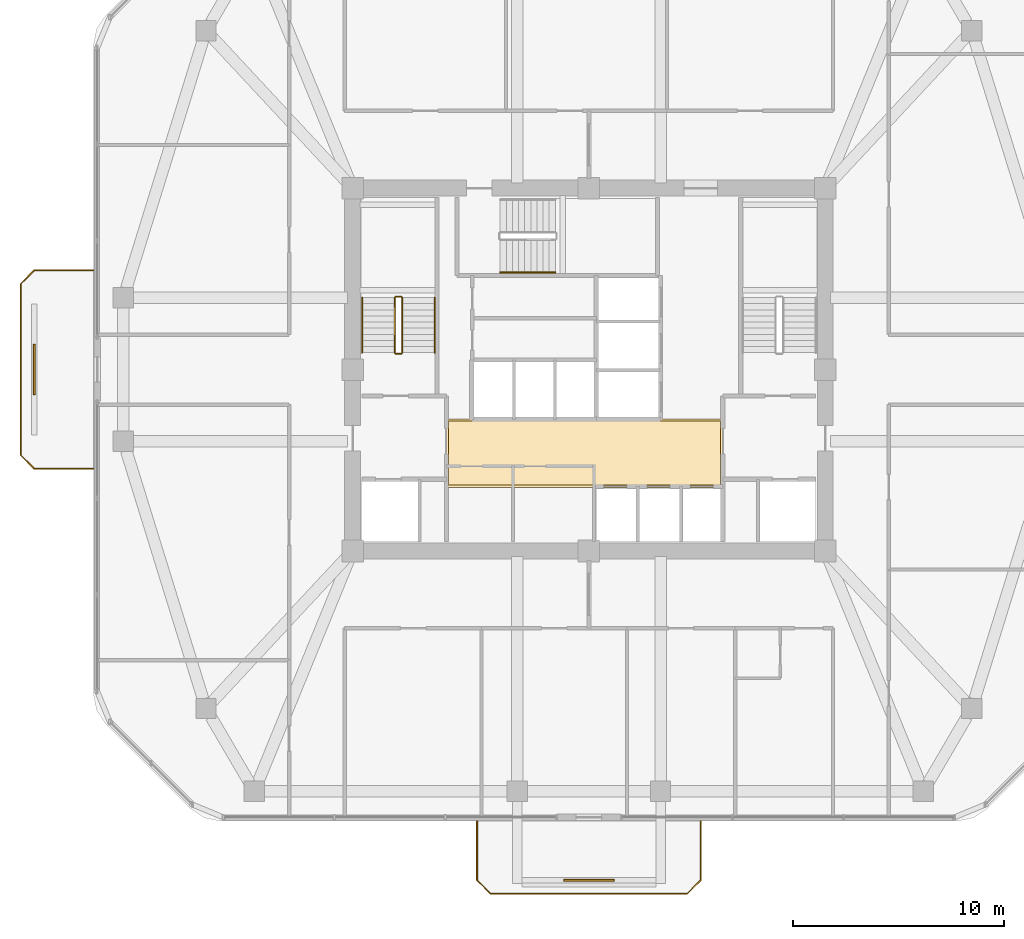
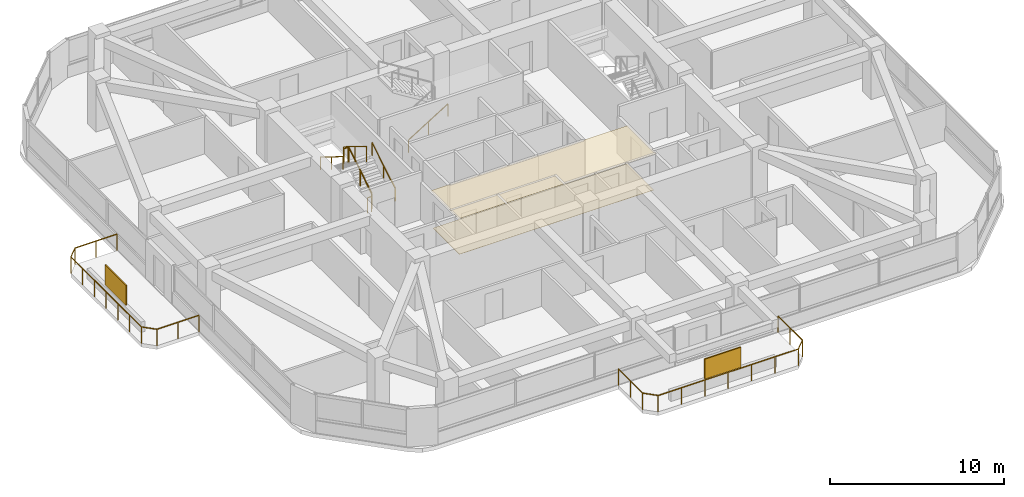
# One storey, part 11 of 12: 9 railings, 2 coverings, 2 shading devices.
"""IFC4 building model written with IfcOpenShell, lengths in metres."""

from ifc_helpers import new_model, si_unit, derived_unit, direction, frame, origin, origin_2d, place, context, subcontext, project, spatial, polyline, rectangle, outline, extrude, material, layer, layer_set, type_object, element, save


model = new_model("IFC4")

# Units and contexts
model_context = context("Model", 3, precision=1e-05, world=origin(), true_north=direction((0.0, 1.0)))
body_context = subcontext(model_context, "Body", "Model", "MODEL_VIEW")
ifc_project = project(units=[si_unit("LENGTHUNIT", "METRE"), si_unit("AREAUNIT", "SQUARE_METRE"), si_unit("VOLUMEUNIT", "CUBIC_METRE"), si_unit("PLANEANGLEUNIT", "RADIAN"), si_unit("MASSUNIT", "GRAM", prefix="KILO"), derived_unit("THERMALTRANSMITTANCEUNIT", [(si_unit("POWERUNIT", "WATT"), 1), (si_unit("LENGTHUNIT", "METRE"), -2), (si_unit("THERMODYNAMICTEMPERATUREUNIT", "KELVIN"), -1)])], contexts=[model_context])

# Site, building, storey
site_placement = place(None, origin())
site = spatial("IfcSite", under=ifc_project, at=site_placement, CompositionType="ELEMENT")
building_placement = place(site_placement, origin())
building = spatial("IfcBuilding", under=site, at=building_placement, Name="Koralith Skygarden Medical Center", CompositionType="ELEMENT")
storey_placement = place(building_placement, frame((0.0, 0.0, 163.6201171875)))
storey = spatial("IfcBuildingStorey", under=building, at=storey_placement, Name="L42", CompositionType="ELEMENT", Elevation=163.6201171875)

# Covering
ifc_material_1 = material(Name="Acoustic Mineral Tile")
ifc_layer_1 = layer(ifc_material_1, 0.02001953125)
ifc_layer_set_1 = layer_set([ifc_layer_1], Name="Acoustic Mineral Tile")
covering_type_1 = type_object("IfcCoveringType", Name="Acoustic Hygienic Mineral Ceiling 20", PredefinedType="CEILING", material=ifc_layer_set_1)
covering_1_placement = place(storey_placement, frame((0.0, 0.0, 2.5849609375)))
element("IfcCovering", 1, at=covering_1_placement, inside=storey, type_object=covering_type_1, Name="L42 Core Lobby Acoustic Ceiling", PredefinedType="CEILING", context=body_context, shape_type="SweptSolid", body=[
    extrude(outline(polyline([(30.25, 20.320068359375), (43.35009765625, 20.320068359375), (43.35009765625, 23.56005859375), (30.25, 23.56005859375), (30.25, 20.320068359375)])), origin(), (0.0, 0.0, 1.0), 0.02001953125),
])

# Railings
ifc_material_2 = material(Name="Steel ASTM A500 Grade C", Category="steel")
railing_type_1 = type_object("IfcRailingType", Name="Outdoor Terrace & Balcony Safety Guardrail 1180", PredefinedType="GUARDRAIL", material=ifc_material_2)
railing_1_placement = place(storey_placement, frame((31.699951171875, 4.5, 0.0)))
element("IfcRailing", 2, at=railing_1_placement, inside=storey, type_object=railing_type_1, Name="L42 S Balcony Perimeter Guardrail", PredefinedType="GUARDRAIL", context=body_context, shape_type="SweptSolid", body=[
    extrude(rectangle(XDim=0.050048828125, YDim=0.050048828125, at=origin_2d()), frame((0.0, -0.001953125, 1.15478515625), z_axis=(0.0, -1.0, 0.0), x_axis=(1.0, 0.0, 0.0)), (0.0, 0.0, 1.0), 2.796142578125),
    extrude(rectangle(XDim=0.050048828125, YDim=0.050048828125, at=origin_2d()), frame((0.00146484375, -2.801513671875, 1.15478515625), z_axis=(0.707239558722, -0.706973978714, 0.0), x_axis=(0.706973978714, 0.707239558722, 0.0)), (0.0, 0.0, 1.0), 0.915283203125),
    extrude(rectangle(XDim=0.050048828125, YDim=0.050048828125, at=origin_2d()), frame((0.652099609375, -3.449951171875, 1.15478515625), z_axis=(1.0, 0.0, 0.0), x_axis=(0.0, 1.0, 0.0)), (0.0, 0.0, 1.0), 9.2958984375),
    extrude(rectangle(XDim=0.050048828125, YDim=0.050048828125, at=origin_2d()), frame((9.951416015625, -3.448486328125, 1.15478515625), z_axis=(0.707239558722, 0.706973978714, 0.0), x_axis=(-0.706973978714, 0.707239558722, 0.0)), (0.0, 0.0, 1.0), 0.915283203125),
    extrude(rectangle(XDim=0.050048828125, YDim=0.050048828125, at=origin_2d()), frame((10.60009765625, -2.798095703125, 1.15478515625), z_axis=(0.0, 1.0, 0.0), x_axis=(-1.0, 0.0, 0.0)), (0.0, 0.0, 1.0), 2.796142578125),
    extrude(rectangle(XDim=0.0419921875, YDim=0.0419921875, at=origin_2d()), origin(), (0.0, 0.0, 1.0), 1.1279296875),
    extrude(rectangle(XDim=0.0419921875, YDim=0.0419921875, at=origin_2d()), frame((0.0, -1.39990234375, 0.0)), (0.0, 0.0, 1.0), 1.1279296875),
    extrude(rectangle(XDim=0.0419921875, YDim=0.0419921875, at=origin_2d()), frame((0.0, -2.800048828125, 0.0)), (0.0, 0.0, 1.0), 1.1279296875),
    extrude(rectangle(XDim=0.0419921875, YDim=0.0419921875, at=origin_2d()), frame((0.650146484375, -3.449951171875, 0.0)), (0.0, 0.0, 1.0), 1.1279296875),
    extrude(rectangle(XDim=0.0419921875, YDim=0.0419921875, at=origin_2d()), frame((2.2001953125, -3.449951171875, 0.0)), (0.0, 0.0, 1.0), 1.1279296875),
    extrude(rectangle(XDim=0.0419921875, YDim=0.0419921875, at=origin_2d()), frame((3.75, -3.449951171875, 0.0)), (0.0, 0.0, 1.0), 1.1279296875),
    extrude(rectangle(XDim=0.0419921875, YDim=0.0419921875, at=origin_2d()), frame((5.300048828125, -3.449951171875, 0.0)), (0.0, 0.0, 1.0), 1.1279296875),
    extrude(rectangle(XDim=0.0419921875, YDim=0.0419921875, at=origin_2d()), frame((6.85009765625, -3.449951171875, 0.0)), (0.0, 0.0, 1.0), 1.1279296875),
    extrude(rectangle(XDim=0.0419921875, YDim=0.0419921875, at=origin_2d()), frame((8.39990234375, -3.449951171875, 0.0)), (0.0, 0.0, 1.0), 1.1279296875),
    extrude(rectangle(XDim=0.0419921875, YDim=0.0419921875, at=origin_2d()), frame((9.949951171875, -3.449951171875, 0.0)), (0.0, 0.0, 1.0), 1.1279296875),
    extrude(rectangle(XDim=0.0419921875, YDim=0.0419921875, at=origin_2d()), frame((10.60009765625, -2.800048828125, 0.0)), (0.0, 0.0, 1.0), 1.1279296875),
    extrude(rectangle(XDim=0.0419921875, YDim=0.0419921875, at=origin_2d()), frame((10.60009765625, -1.39990234375, 0.0)), (0.0, 0.0, 1.0), 1.1279296875),
    extrude(rectangle(XDim=0.0419921875, YDim=0.0419921875, at=origin_2d()), frame((10.60009765625, 0.0, 0.0)), (0.0, 0.0, 1.0), 1.1279296875),
])
railing_2_placement = place(storey_placement, frame((13.51611328125, 21.199951171875, 0.0)))
element("IfcRailing", 3, at=railing_2_placement, inside=storey, type_object=railing_type_1, Name="L42 W Balcony Perimeter Guardrail", PredefinedType="GUARDRAIL", context=body_context, shape_type="SweptSolid", body=[
    extrude(rectangle(XDim=0.050048828125, YDim=0.050048828125, at=origin_2d()), frame((-0.001953125, 0.0, 1.15478515625), z_axis=(-1.0, 0.0, 0.0), x_axis=(0.0, -1.0, 0.0)), (0.0, 0.0, 1.0), 2.796142578125),
    extrude(rectangle(XDim=0.050048828125, YDim=0.050048828125, at=origin_2d()), frame((-2.801513671875, 0.00146484375, 1.15478515625), z_axis=(-0.707106781187, 0.707106781187, 0.0), x_axis=(-0.707106781187, -0.707106781187, 0.0)), (0.0, 0.0, 1.0), 0.91552734375),
    extrude(rectangle(XDim=0.050048828125, YDim=0.050048828125, at=origin_2d()), frame((-3.4501953125, 0.652099609375, 1.15478515625), z_axis=(0.0, 1.0, 0.0), x_axis=(-1.0, 0.0, 0.0)), (0.0, 0.0, 1.0), 8.095947265625),
    extrude(rectangle(XDim=0.050048828125, YDim=0.050048828125, at=origin_2d()), frame((-3.44873046875, 8.75146484375, 1.15478515625), z_axis=(0.707106781187, 0.707106781187, 0.0), x_axis=(-0.707106781187, 0.707106781187, 0.0)), (0.0, 0.0, 1.0), 0.91552734375),
    extrude(rectangle(XDim=0.050048828125, YDim=0.050048828125, at=origin_2d()), frame((-2.798095703125, 9.400146484375, 1.15478515625), z_axis=(1.0, 0.0, 0.0), x_axis=(0.0, 1.0, 0.0)), (0.0, 0.0, 1.0), 2.796142578125),
    extrude(rectangle(XDim=0.0419921875, YDim=0.0419921875, at=origin_2d()), origin(), (0.0, 0.0, 1.0), 1.1279296875),
    extrude(rectangle(XDim=0.0419921875, YDim=0.0419921875, at=origin_2d()), frame((-1.39990234375, 0.0, 0.0)), (0.0, 0.0, 1.0), 1.1279296875),
    extrude(rectangle(XDim=0.0419921875, YDim=0.0419921875, at=origin_2d()), frame((-2.800048828125, 0.0, 0.0)), (0.0, 0.0, 1.0), 1.1279296875),
    extrude(rectangle(XDim=0.0419921875, YDim=0.0419921875, at=origin_2d()), frame((-3.4501953125, 0.650146484375, 0.0)), (0.0, 0.0, 1.0), 1.1279296875),
    extrude(rectangle(XDim=0.0419921875, YDim=0.0419921875, at=origin_2d()), frame((-3.4501953125, 2.0, 0.0)), (0.0, 0.0, 1.0), 1.1279296875),
    extrude(rectangle(XDim=0.0419921875, YDim=0.0419921875, at=origin_2d()), frame((-3.4501953125, 3.35009765625, 0.0)), (0.0, 0.0, 1.0), 1.1279296875),
    extrude(rectangle(XDim=0.0419921875, YDim=0.0419921875, at=origin_2d()), frame((-3.4501953125, 4.7001953125, 0.0)), (0.0, 0.0, 1.0), 1.1279296875),
    extrude(rectangle(XDim=0.0419921875, YDim=0.0419921875, at=origin_2d()), frame((-3.4501953125, 6.050048828125, 0.0)), (0.0, 0.0, 1.0), 1.1279296875),
    extrude(rectangle(XDim=0.0419921875, YDim=0.0419921875, at=origin_2d()), frame((-3.4501953125, 7.39990234375, 0.0)), (0.0, 0.0, 1.0), 1.1279296875),
    extrude(rectangle(XDim=0.0419921875, YDim=0.0419921875, at=origin_2d()), frame((-3.4501953125, 8.75, 0.0)), (0.0, 0.0, 1.0), 1.1279296875),
    extrude(rectangle(XDim=0.0419921875, YDim=0.0419921875, at=origin_2d()), frame((-2.800048828125, 9.400146484375, 0.0)), (0.0, 0.0, 1.0), 1.1279296875),
    extrude(rectangle(XDim=0.0419921875, YDim=0.0419921875, at=origin_2d()), frame((-1.39990234375, 9.400146484375, 0.0)), (0.0, 0.0, 1.0), 1.1279296875),
    extrude(rectangle(XDim=0.0419921875, YDim=0.0419921875, at=origin_2d()), frame((0.0, 9.400146484375, 0.0)), (0.0, 0.0, 1.0), 1.1279296875),
])

# Shading devices
ifc_material_3 = material(Name="Aluminium 6063-T6", Category="aluminium")
ifc_layer_2 = layer(ifc_material_3, 0.080078125)
ifc_layer_set_2 = layer_set([ifc_layer_2], Name="Aluminium 6063-T6")
shading_device_type = type_object("IfcShadingDeviceType", Name="Perforated Biophilic Balcony Trellis Screen", PredefinedType="USERDEFINED", material=ifc_layer_set_2)
for number, where, z_axis, x_axis, name in (
    (4, (37.0, 1.699951171875, 0.719970703125), (0.0, 0.0, 1.0), (1.0, 0.0, 0.0), "L42 S Biophilic Balcony Trellis Screen"),
    (5, (10.716064453125, 25.89990234375, 0.719970703125), (0.0, 0.0, 1.0), (0.0, 1.0, 0.0), "L42 W Biophilic Balcony Trellis Screen"),
):
    element("IfcShadingDevice", number, at=place(storey_placement, frame(where, z_axis=z_axis, x_axis=x_axis)), inside=storey, type_object=shading_device_type, Name=name, ObjectType="HURRICANE SCREEN", PredefinedType="USERDEFINED", context=body_context, shape_type="SweptSolid", body=[
        extrude(rectangle(XDim=2.39990234375, YDim=0.080078125, at=origin_2d()), origin(), (0.0, 0.0, 1.0), 1.39990234375),
    ])

# Covering
ifc_material_4 = material(Name="Medical Terrazzo Flooring")
ifc_layer_3 = layer(ifc_material_4, 0.014892578125)
ifc_layer_set_3 = layer_set([ifc_layer_3], Name="Medical Terrazzo Flooring")
covering_type_2 = type_object("IfcCoveringType", Name="Seamless Antimicrobial Terrazzo Flooring 15", PredefinedType="FLOORING", material=ifc_layer_set_3)
covering_2_placement = place(storey_placement, origin())
element("IfcCovering", 6, at=covering_2_placement, inside=storey, type_object=covering_type_2, Name="L42 Core Lobby Terrazzo Flooring", PredefinedType="FLOORING", context=body_context, shape_type="SweptSolid", body=[
    extrude(outline(polyline([(30.35009765625, 20.419921875), (43.25, 20.419921875), (43.25, 23.4599609375), (30.35009765625, 23.4599609375), (30.35009765625, 20.419921875)])), origin(), (0.0, 0.0, 1.0), 0.014892578125),
])

# Railings
railing_type_2 = type_object("IfcRailingType", Name="Stair Flight Tubular Handrail 920", PredefinedType="HANDRAIL", material=ifc_material_2)
railing_3_placement = place(storey_placement, frame((29.699951171875, 26.699951171875, 0.179931640625)))
element("IfcRailing", 7, at=railing_3_placement, inside=storey, type_object=railing_type_2, Name="L42 ST1 stair handrail 1", PredefinedType="HANDRAIL", context=body_context, shape_type="SweptSolid", body=[
    extrude(rectangle(XDim=0.050048828125, YDim=0.050048828125, at=origin_2d()), frame((0.0, 0.001708984375, 0.89599609375), z_axis=(0.0, 0.849668407637, 0.527317358963), x_axis=(-1.0, 0.0, 0.0)), (0.0, 0.0, 1.0), 3.06787109375),
    extrude(rectangle(XDim=0.0419921875, YDim=0.0419921875, at=origin_2d()), origin(), (0.0, 0.0, 1.0), 0.867919921875),
    extrude(rectangle(XDim=0.0419921875, YDim=0.0419921875, at=origin_2d()), frame((0.0, 1.30517578125, 0.81005859375)), (0.0, 0.0, 1.0), 0.867919921875),
    extrude(rectangle(XDim=0.0419921875, YDim=0.0419921875, at=origin_2d()), frame((0.0, 2.610107421875, 1.619873046875)), (0.0, 0.0, 1.0), 0.867919921875),
])
railing_4_placement = place(storey_placement, frame((26.25, 29.31005859375, 1.97998046875)))
element("IfcRailing", 8, at=railing_4_placement, inside=storey, type_object=railing_type_2, Name="L42 ST1 stair handrail 2", PredefinedType="HANDRAIL", context=body_context, shape_type="SweptSolid", body=[
    extrude(rectangle(XDim=0.050048828125, YDim=0.050048828125, at=origin_2d()), frame((0.0, -0.001708984375, 0.89599609375), z_axis=(0.0, -0.849668407637, 0.527317358963), x_axis=(1.0, 0.0, 0.0)), (0.0, 0.0, 1.0), 3.06787109375),
    extrude(rectangle(XDim=0.0419921875, YDim=0.0419921875, at=origin_2d()), origin(), (0.0, 0.0, 1.0), 0.867919921875),
    extrude(rectangle(XDim=0.0419921875, YDim=0.0419921875, at=origin_2d()), frame((0.0, -1.30517578125, 0.81005859375)), (0.0, 0.0, 1.0), 0.867919921875),
    extrude(rectangle(XDim=0.0419921875, YDim=0.0419921875, at=origin_2d()), frame((0.0, -2.610107421875, 1.619873046875)), (0.0, 0.0, 1.0), 0.867919921875),
])
railing_5_placement = place(storey_placement, frame((32.800048828125, 30.5, 0.179931640625)))
element("IfcRailing", 9, at=railing_5_placement, inside=storey, type_object=railing_type_2, Name="L42 ST3 stair handrail 1", PredefinedType="HANDRAIL", context=body_context, shape_type="SweptSolid", body=[
    extrude(rectangle(XDim=0.050048828125, YDim=0.050048828125, at=origin_2d()), frame((0.001708984375, 0.0, 0.89599609375), z_axis=(0.849646306263, 0.0, 0.527352969322), x_axis=(0.0, 1.0, 0.0)), (0.0, 0.0, 1.0), 3.067626953125),
    extrude(rectangle(XDim=0.0419921875, YDim=0.0419921875, at=origin_2d()), origin(), (0.0, 0.0, 1.0), 0.867919921875),
    extrude(rectangle(XDim=0.0419921875, YDim=0.0419921875, at=origin_2d()), frame((1.304931640625, 0.0, 0.81005859375)), (0.0, 0.0, 1.0), 0.867919921875),
    extrude(rectangle(XDim=0.0419921875, YDim=0.0419921875, at=origin_2d()), frame((2.60986328125, 0.0, 1.619873046875)), (0.0, 0.0, 1.0), 0.867919921875),
])
railing_type_3 = type_object("IfcRailingType", Name="Stair Well Safety Guardrail 1100", PredefinedType="GUARDRAIL", material=ifc_material_2)
railing_6_placement = place(storey_placement, frame((28.14990234375, 26.699951171875, 0.179931640625)))
element("IfcRailing", 10, at=railing_6_placement, inside=storey, type_object=railing_type_3, Name="L42 ST1 stair guard 1", PredefinedType="GUARDRAIL", context=body_context, shape_type="SweptSolid", body=[
    extrude(rectangle(XDim=0.050048828125, YDim=0.050048828125, at=origin_2d()), frame((0.0, 0.001708984375, 1.076171875), z_axis=(0.0, 0.849668407637, 0.527317358963), x_axis=(-1.0, 0.0, 0.0)), (0.0, 0.0, 1.0), 3.06787109375),
    extrude(rectangle(XDim=0.0419921875, YDim=0.0419921875, at=origin_2d()), origin(), (0.0, 0.0, 1.0), 1.048095703125),
    extrude(rectangle(XDim=0.0419921875, YDim=0.0419921875, at=origin_2d()), frame((0.0, 1.30517578125, 0.81005859375)), (0.0, 0.0, 1.0), 1.048095703125),
    extrude(rectangle(XDim=0.0419921875, YDim=0.0419921875, at=origin_2d()), frame((0.0, 2.610107421875, 1.619873046875)), (0.0, 0.0, 1.0), 1.048095703125),
])
railing_7_placement = place(storey_placement, frame((28.10009765625, 29.360107421875, 1.7998046875)))
element("IfcRailing", 11, at=railing_7_placement, inside=storey, type_object=railing_type_3, Name="L42 ST1 stair guard 2", PredefinedType="GUARDRAIL", context=body_context, shape_type="SweptSolid", body=[
    extrude(rectangle(XDim=0.050048828125, YDim=0.050048828125, at=origin_2d()), frame((-0.001953125, 0.0, 1.0751953125), z_axis=(-1.0, 0.0, 0.0), x_axis=(0.0, -1.0, 0.0)), (0.0, 0.0, 1.0), 0.24609375),
    extrude(rectangle(XDim=0.0419921875, YDim=0.0419921875, at=origin_2d()), origin(), (0.0, 0.0, 1.0), 1.048095703125),
    extrude(rectangle(XDim=0.0419921875, YDim=0.0419921875, at=origin_2d()), frame((-0.25, 0.0, 0.0)), (0.0, 0.0, 1.0), 1.048095703125),
])
railing_8_placement = place(storey_placement, frame((27.800048828125, 29.31005859375, 1.97998046875)))
element("IfcRailing", 12, at=railing_8_placement, inside=storey, type_object=railing_type_3, Name="L42 ST1 stair guard 3", PredefinedType="GUARDRAIL", context=body_context, shape_type="SweptSolid", body=[
    extrude(rectangle(XDim=0.050048828125, YDim=0.050048828125, at=origin_2d()), frame((0.0, -0.001708984375, 1.076171875), z_axis=(0.0, -0.849668407637, 0.527317358963), x_axis=(1.0, 0.0, 0.0)), (0.0, 0.0, 1.0), 3.06787109375),
    extrude(rectangle(XDim=0.0419921875, YDim=0.0419921875, at=origin_2d()), origin(), (0.0, 0.0, 1.0), 1.048095703125),
    extrude(rectangle(XDim=0.0419921875, YDim=0.0419921875, at=origin_2d()), frame((0.0, -1.30517578125, 0.81005859375)), (0.0, 0.0, 1.0), 1.048095703125),
    extrude(rectangle(XDim=0.0419921875, YDim=0.0419921875, at=origin_2d()), frame((0.0, -2.610107421875, 1.619873046875)), (0.0, 0.0, 1.0), 1.048095703125),
])
railing_9_placement = place(storey_placement, frame((28.10009765625, 26.64990234375, 0.0)))
element("IfcRailing", 13, at=railing_9_placement, inside=storey, type_object=railing_type_3, Name="L42 ST1 stair guard 4", PredefinedType="GUARDRAIL", context=body_context, shape_type="SweptSolid", body=[
    extrude(rectangle(XDim=0.050048828125, YDim=0.050048828125, at=origin_2d()), frame((-0.001953125, 0.0, 1.0751953125), z_axis=(-1.0, 0.0, 0.0), x_axis=(0.0, -1.0, 0.0)), (0.0, 0.0, 1.0), 0.24609375),
    extrude(rectangle(XDim=0.0419921875, YDim=0.0419921875, at=origin_2d()), origin(), (0.0, 0.0, 1.0), 1.048095703125),
    extrude(rectangle(XDim=0.0419921875, YDim=0.0419921875, at=origin_2d()), frame((-0.25, 0.0, 0.0)), (0.0, 0.0, 1.0), 1.048095703125),
])

save(model, "model.ifc")
